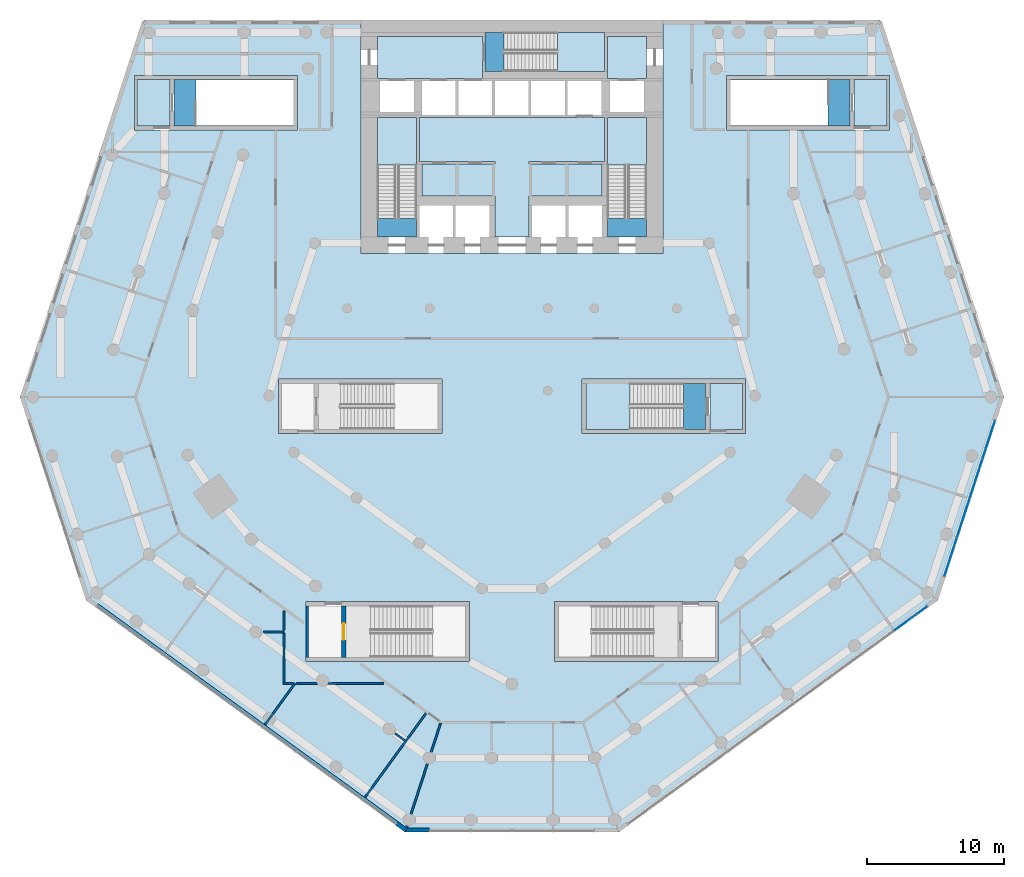
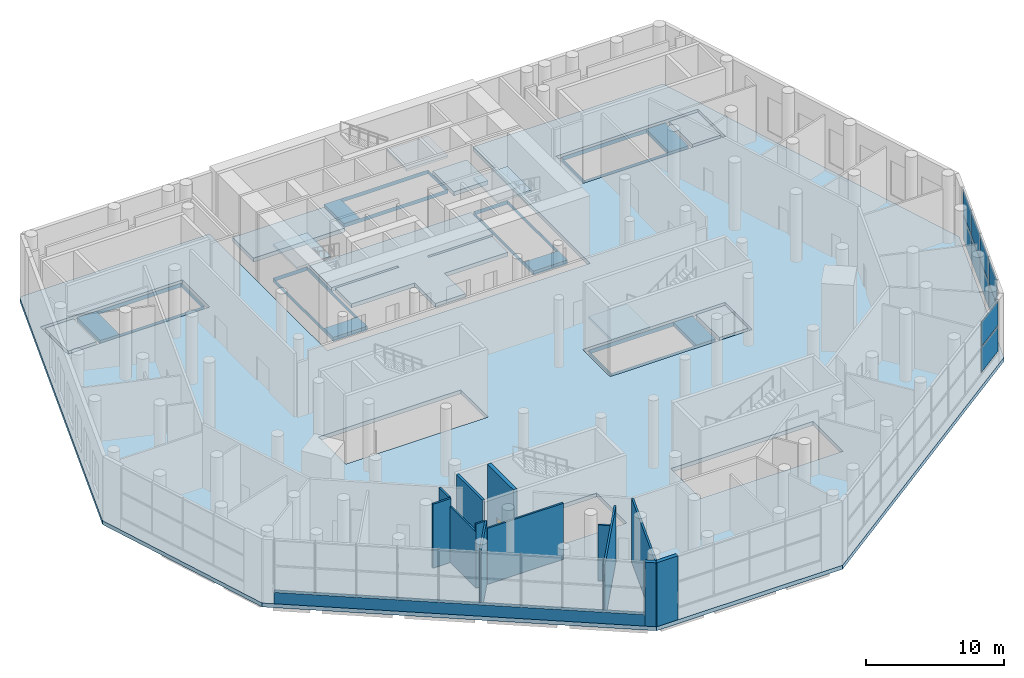
# One storey, part 9 of 19: 17 slabs, 14 walls, 10 plates, 1 door, 1 opening, 6 elements without a shape of their own.
"""IFC4 building model written with IfcOpenShell, lengths in metres."""

from ifc_helpers import new_model, si_unit, direction, frame, frame_2d, origin, origin_2d, place, context, subcontext, project, spatial, polyline, rectangle, outline, extrude, material, layer, layer_set, type_object, element, fill, aggregate, save


model = new_model("IFC4")

# Units and contexts
model_context = context("Model", 3, precision=1e-05, world=origin(), true_north=direction((0.0, 1.0)))
body_context = subcontext(model_context, "Body", "Model", "MODEL_VIEW")
ifc_project = project(units=[si_unit("LENGTHUNIT", "METRE"), si_unit("AREAUNIT", "SQUARE_METRE"), si_unit("VOLUMEUNIT", "CUBIC_METRE"), si_unit("PLANEANGLEUNIT", "RADIAN"), si_unit("MASSUNIT", "GRAM", prefix="KILO")], contexts=[model_context])

# Site, building, storey
site_placement = place(None, origin())
site = spatial("IfcSite", under=ifc_project, at=site_placement, CompositionType="ELEMENT")
building_placement = place(site_placement, origin())
building = spatial("IfcBuilding", under=site, at=building_placement, Name="White Candle Pilgrim Tower", CompositionType="ELEMENT")
storey_placement = place(building_placement, frame((0.0, 0.0, 23.0)))
storey = spatial("IfcBuildingStorey", under=building, at=storey_placement, Name="L03", CompositionType="ELEMENT", Elevation=23.0)

# Curtain wall, plates
ifc_material_1 = material(Name="Aluminium and glass", Category="aluminium")
curtain_wall_type = type_object("IfcCurtainWallType", Name="Curtain wall CW2 prayer hall clerestory", PredefinedType="NOTDEFINED", material=ifc_material_1)
curtain_wall_1_placement = place(storey_placement, origin())
curtain_wall_1 = element("IfcCurtainWall", 1, at=curtain_wall_1_placement, inside=storey, type_object=curtain_wall_type, Name="Curtain wall CW2 L03 SE", PredefinedType="NOTDEFINED")
ifc_material_2 = material(Name="Glass, triple glazed", Category="glass")
ifc_layer_1 = layer(ifc_material_2, 0.035888671875)
ifc_layer_set_1 = layer_set([ifc_layer_1], Name="CW2 glazing panel 36")
plate_type = type_object("IfcPlateType", Name="CW2 glazing panel 36", PredefinedType="CURTAIN_PANEL", material=ifc_layer_set_1)
plate_1_placement = place(storey_placement, frame((99.0361328125, 44.429443359375, 1.10009765625), z_axis=(0.0, 0.0, 1.0), x_axis=(0.809016996488, 0.587785249384, 0.0)))
plate_1 = element("IfcPlate", 2, at=plate_1_placement, type_object=plate_type, Name="CW2 panel 9.1", PredefinedType="CURTAIN_PANEL", context=body_context, shape_type="SweptSolid", body=[
    extrude(rectangle(XDim=2.925048828125, YDim=0.035888671875, at=origin_2d()), origin(), (0.0, 0.0, 1.0), 2.175048828125),
])
plate_2_placement = place(storey_placement, frame((99.0361328125, 44.429443359375, 3.375), z_axis=(0.0, 0.0, 1.0), x_axis=(0.809016996488, 0.587785249384, 0.0)))
plate_2 = element("IfcPlate", 3, at=plate_2_placement, type_object=plate_type, Name="CW2 panel 9.2", PredefinedType="CURTAIN_PANEL", context=body_context, shape_type="SweptSolid", body=[
    extrude(rectangle(XDim=2.925048828125, YDim=0.035888671875, at=origin_2d()), origin(), (0.0, 0.0, 1.0), 2.175048828125),
])
aggregate(curtain_wall_1, [plate_1, plate_2])

curtain_wall_2_placement = place(storey_placement, origin())
curtain_wall_2 = element("IfcCurtainWall", 4, at=curtain_wall_2_placement, inside=storey, type_object=curtain_wall_type, Name="Curtain wall CW2 L03 E chamfer", PredefinedType="NOTDEFINED")
plate_3_placement = place(storey_placement, frame((101.937255859375, 48.904541015625, 1.10009765625), z_axis=(0.0, 0.0, 1.0), x_axis=(0.309017000068, 0.951056514445, 0.0)))
plate_3 = element("IfcPlate", 5, at=plate_3_placement, type_object=plate_type, Name="CW2 panel 1.1", PredefinedType="CURTAIN_PANEL", context=body_context, shape_type="SweptSolid", body=[
    extrude(rectangle(XDim=2.925048828125, YDim=0.035888671875, at=origin_2d()), origin(), (0.0, 0.0, 1.0), 2.175048828125),
])
plate_4_placement = place(storey_placement, frame((101.937255859375, 48.904541015625, 3.375), z_axis=(0.0, 0.0, 1.0), x_axis=(0.309017000068, 0.951056514445, 0.0)))
plate_4 = element("IfcPlate", 6, at=plate_4_placement, type_object=plate_type, Name="CW2 panel 1.2", PredefinedType="CURTAIN_PANEL", context=body_context, shape_type="SweptSolid", body=[
    extrude(rectangle(XDim=2.925048828125, YDim=0.035888671875, at=origin_2d()), origin(), (0.0, 0.0, 1.0), 2.175048828125),
])
plate_5_placement = place(storey_placement, frame((102.8603515625, 51.745849609375, 1.10009765625), z_axis=(0.0, 0.0, 1.0), x_axis=(0.309017000068, 0.951056514445, 0.0)))
plate_5 = element("IfcPlate", 7, at=plate_5_placement, type_object=plate_type, Name="CW2 panel 2.1", PredefinedType="CURTAIN_PANEL", context=body_context, shape_type="SweptSolid", body=[
    extrude(rectangle(XDim=2.949951171875, YDim=0.035888671875, at=origin_2d()), origin(), (0.0, 0.0, 1.0), 2.175048828125),
])
plate_6_placement = place(storey_placement, frame((102.8603515625, 51.745849609375, 3.375), z_axis=(0.0, 0.0, 1.0), x_axis=(0.309017000068, 0.951056514445, 0.0)))
plate_6 = element("IfcPlate", 8, at=plate_6_placement, type_object=plate_type, Name="CW2 panel 2.2", PredefinedType="CURTAIN_PANEL", context=body_context, shape_type="SweptSolid", body=[
    extrude(rectangle(XDim=2.949951171875, YDim=0.035888671875, at=origin_2d()), origin(), (0.0, 0.0, 1.0), 2.175048828125),
])
plate_7_placement = place(storey_placement, frame((103.78759765625, 54.598876953125, 1.10009765625), z_axis=(0.0, 0.0, 1.0), x_axis=(0.309017000068, 0.951056514445, 0.0)))
plate_7 = element("IfcPlate", 9, at=plate_7_placement, type_object=plate_type, Name="CW2 panel 3.1", PredefinedType="CURTAIN_PANEL", context=body_context, shape_type="SweptSolid", body=[
    extrude(rectangle(XDim=2.949951171875, YDim=0.035888671875, at=origin_2d()), origin(), (0.0, 0.0, 1.0), 2.175048828125),
])
plate_8_placement = place(storey_placement, frame((103.78759765625, 54.598876953125, 3.375), z_axis=(0.0, 0.0, 1.0), x_axis=(0.309017000068, 0.951056514445, 0.0)))
plate_8 = element("IfcPlate", 10, at=plate_8_placement, type_object=plate_type, Name="CW2 panel 3.2", PredefinedType="CURTAIN_PANEL", context=body_context, shape_type="SweptSolid", body=[
    extrude(rectangle(XDim=2.949951171875, YDim=0.035888671875, at=origin_2d()), origin(), (0.0, 0.0, 1.0), 2.175048828125),
])
plate_9_placement = place(storey_placement, frame((104.710693359375, 57.440185546875, 1.10009765625), z_axis=(0.0, 0.0, 1.0), x_axis=(0.309017000068, 0.951056514445, 0.0)))
plate_9 = element("IfcPlate", 11, at=plate_9_placement, type_object=plate_type, Name="CW2 panel 4.1", PredefinedType="CURTAIN_PANEL", context=body_context, shape_type="SweptSolid", body=[
    extrude(rectangle(XDim=2.925048828125, YDim=0.035888671875, at=origin_2d()), origin(), (0.0, 0.0, 1.0), 2.175048828125),
])
plate_10_placement = place(storey_placement, frame((104.710693359375, 57.440185546875, 3.375), z_axis=(0.0, 0.0, 1.0), x_axis=(0.309017000068, 0.951056514445, 0.0)))
plate_10 = element("IfcPlate", 12, at=plate_10_placement, type_object=plate_type, Name="CW2 panel 4.2", PredefinedType="CURTAIN_PANEL", context=body_context, shape_type="SweptSolid", body=[
    extrude(rectangle(XDim=2.925048828125, YDim=0.035888671875, at=origin_2d()), origin(), (0.0, 0.0, 1.0), 2.175048828125),
])
aggregate(curtain_wall_2, [plate_3, plate_4, plate_5, plate_6, plate_7, plate_8, plate_9, plate_10])

# Slabs
ifc_material_3 = material(Name="Concrete C40/50", Category="concrete")
ifc_layer_2 = layer(ifc_material_3, 0.35009765625)
ifc_layer_set_2 = layer_set([ifc_layer_2], Name="Core floor slab 350 mm Concrete C40/50")
slab_type_1 = type_object("IfcSlabType", Name="Core floor slab 350 mm Concrete C40/50", PredefinedType="FLOOR", material=ifc_layer_set_2)
slab_1_placement = place(storey_placement, frame((0.0, 0.0, -0.35009765625)))
element("IfcSlab", 13, at=slab_1_placement, inside=storey, type_object=slab_type_1, Name="CF-L03-05", PredefinedType="FLOOR", context=body_context, shape_type="SweptSolid", body=[
    extrude(outline(polyline([(60.199951171875, 80.89990234375), (63.050048828125, 80.89990234375), (63.050048828125, 77.699951171875), (63.050048828125, 77.5), (63.050048828125, 75.199951171875), (63.050048828125, 74.5), (63.050048828125, 72.199951171875), (60.199951171875, 72.199951171875), (60.199951171875, 80.89990234375)]), holes=[polyline([(60.201904296875, 80.89794921875), (60.201904296875, 73.552001953125), (63.048095703125, 73.552001953125), (63.048095703125, 80.89794921875), (60.201904296875, 80.89794921875)])]), origin(), (0.0, 0.0, 1.0), 0.35009765625),
])
slab_2_placement = place(storey_placement, frame((0.0, 0.0, -0.35009765625)))
element("IfcSlab", 14, at=slab_2_placement, inside=storey, type_object=slab_type_1, Name="CF-L03-06", PredefinedType="FLOOR", context=body_context, shape_type="SweptSolid", body=[
    extrude(outline(polyline([(60.199951171875, 86.800048828125), (67.85009765625, 86.800048828125), (67.85009765625, 84.25), (67.85009765625, 83.75), (60.199951171875, 83.75), (60.199951171875, 86.800048828125)])), origin(), (0.0, 0.0, 1.0), 0.35009765625),
])
slab_3_placement = place(storey_placement, frame((0.0, 0.0, -0.35009765625)))
element("IfcSlab", 15, at=slab_3_placement, inside=storey, type_object=slab_type_1, Name="CF-L03-07", PredefinedType="FLOOR", context=body_context, shape_type="SweptSolid", body=[
    extrude(outline(polyline([(68.050048828125, 87.10009765625), (76.75, 87.10009765625), (76.75, 86.800048828125), (76.75, 84.25), (68.050048828125, 84.25), (68.050048828125, 86.800048828125), (68.050048828125, 87.10009765625)]), holes=[polyline([(69.402099609375, 87.097900390625), (69.402099609375, 84.251953125), (76.748046875, 84.251953125), (76.748046875, 87.097900390625), (69.402099609375, 87.097900390625)])]), origin(), (0.0, 0.0, 1.0), 0.35009765625),
])
slab_4_placement = place(storey_placement, frame((0.0, 0.0, -0.35009765625)))
element("IfcSlab", 16, at=slab_4_placement, inside=storey, type_object=slab_type_1, Name="CF-L03-08", PredefinedType="FLOOR", context=body_context, shape_type="SweptSolid", body=[
    extrude(outline(polyline([(79.800048828125, 86.800048828125), (79.800048828125, 83.75), (76.949951171875, 83.75), (76.949951171875, 84.25), (76.949951171875, 86.800048828125), (79.800048828125, 86.800048828125)])), origin(), (0.0, 0.0, 1.0), 0.35009765625),
])
slab_5_placement = place(storey_placement, frame((0.0, 0.0, -0.35009765625)))
element("IfcSlab", 17, at=slab_5_placement, inside=storey, type_object=slab_type_1, Name="CF-L03-09", PredefinedType="FLOOR", context=body_context, shape_type="SweptSolid", body=[
    extrude(outline(polyline([(79.800048828125, 72.199951171875), (76.949951171875, 72.199951171875), (76.949951171875, 74.5), (76.949951171875, 75.199951171875), (76.949951171875, 77.5), (76.949951171875, 77.699951171875), (76.949951171875, 80.89990234375), (79.800048828125, 80.89990234375), (79.800048828125, 72.199951171875)]), holes=[polyline([(76.951904296875, 80.89794921875), (76.951904296875, 73.552001953125), (79.798095703125, 73.552001953125), (79.798095703125, 80.89794921875), (76.951904296875, 80.89794921875)])]), origin(), (0.0, 0.0, 1.0), 0.35009765625),
])
slab_6_placement = place(storey_placement, frame((0.0, 0.0, -0.35009765625)))
element("IfcSlab", 18, at=slab_6_placement, inside=storey, type_object=slab_type_1, Name="CF-L03-10", PredefinedType="FLOOR", context=body_context, shape_type="SweptSolid", body=[
    extrude(outline(polyline([(68.75, 72.199951171875), (68.75, 74.5), (68.75, 75.199951171875), (63.449951171875, 75.199951171875), (63.449951171875, 77.5), (68.75, 77.5), (68.75, 77.699951171875), (63.25, 77.699951171875), (63.25, 80.89990234375), (76.75, 80.89990234375), (76.75, 77.699951171875), (71.25, 77.699951171875), (71.25, 77.5), (76.550048828125, 77.5), (76.550048828125, 75.199951171875), (71.25, 75.199951171875), (71.25, 74.5), (71.25, 72.199951171875), (68.75, 72.199951171875)])), origin(), (0.0, 0.0, 1.0), 0.35009765625),
])
slab_7_placement = place(storey_placement, frame((0.0, 0.0, -0.35009765625)))
element("IfcSlab", 19, at=slab_7_placement, inside=storey, type_object=slab_type_1, Name="CF-L03-11", PredefinedType="FLOOR", context=body_context, shape_type="SweptSolid", body=[
    extrude(outline(polyline([(42.699951171875, 83.64990234375), (45.10009765625, 83.64990234375), (45.10009765625, 80.300048828125), (42.699951171875, 80.300048828125), (42.699951171875, 83.64990234375)])), origin(), (0.0, 0.0, 1.0), 0.35009765625),
])
slab_8_placement = place(storey_placement, frame((0.0, 0.0, -0.35009765625)))
element("IfcSlab", 20, at=slab_8_placement, inside=storey, type_object=slab_type_1, Name="CF-L03-12", PredefinedType="FLOOR", context=body_context, shape_type="SweptSolid", body=[
    extrude(outline(polyline([(45.39990234375, 83.64990234375), (54.10009765625, 83.64990234375), (54.10009765625, 80.300048828125), (45.39990234375, 80.300048828125), (45.39990234375, 83.64990234375)]), holes=[polyline([(54.097900390625, 83.64794921875), (47.001953125, 83.64794921875), (47.001953125, 80.302001953125), (54.097900390625, 80.302001953125), (54.097900390625, 83.64794921875)])]), origin(), (0.0, 0.0, 1.0), 0.35009765625),
])
slab_9_placement = place(storey_placement, frame((0.0, 0.0, -0.35009765625)))
element("IfcSlab", 21, at=slab_9_placement, inside=storey, type_object=slab_type_1, Name="CF-L03-15", PredefinedType="FLOOR", context=body_context, shape_type="SweptSolid", body=[
    extrude(outline(polyline([(75.39990234375, 61.550048828125), (84.10009765625, 61.550048828125), (84.10009765625, 58.199951171875), (75.39990234375, 58.199951171875), (75.39990234375, 61.550048828125)]), holes=[polyline([(75.402099609375, 58.201904296875), (82.498046875, 58.201904296875), (82.498046875, 61.548095703125), (75.402099609375, 61.548095703125), (75.402099609375, 58.201904296875)])]), origin(), (0.0, 0.0, 1.0), 0.35009765625),
])
slab_10_placement = place(storey_placement, frame((0.0, 0.0, -0.35009765625)))
element("IfcSlab", 22, at=slab_10_placement, inside=storey, type_object=slab_type_1, Name="CF-L03-16", PredefinedType="FLOOR", context=body_context, shape_type="SweptSolid", body=[
    extrude(outline(polyline([(84.39990234375, 61.550048828125), (86.800048828125, 61.550048828125), (86.800048828125, 58.199951171875), (84.39990234375, 58.199951171875), (84.39990234375, 61.550048828125)])), origin(), (0.0, 0.0, 1.0), 0.35009765625),
])
slab_11_placement = place(storey_placement, frame((0.0, 0.0, -0.35009765625)))
element("IfcSlab", 23, at=slab_11_placement, inside=storey, type_object=slab_type_1, Name="CF-L03-17", PredefinedType="FLOOR", context=body_context, shape_type="SweptSolid", body=[
    extrude(outline(polyline([(94.60009765625, 83.64990234375), (94.60009765625, 80.300048828125), (85.89990234375, 80.300048828125), (85.89990234375, 83.64990234375), (94.60009765625, 83.64990234375)]), holes=[polyline([(92.998046875, 80.302001953125), (92.998046875, 83.64794921875), (85.902099609375, 83.64794921875), (85.902099609375, 80.302001953125), (92.998046875, 80.302001953125)])]), origin(), (0.0, 0.0, 1.0), 0.35009765625),
])
slab_12_placement = place(storey_placement, frame((0.0, 0.0, -0.35009765625)))
element("IfcSlab", 24, at=slab_12_placement, inside=storey, type_object=slab_type_1, Name="CF-L03-18", PredefinedType="FLOOR", context=body_context, shape_type="SweptSolid", body=[
    extrude(outline(polyline([(97.300048828125, 83.64990234375), (97.300048828125, 80.300048828125), (94.89990234375, 80.300048828125), (94.89990234375, 83.64990234375), (97.300048828125, 83.64990234375)])), origin(), (0.0, 0.0, 1.0), 0.35009765625),
])
ifc_layer_3 = layer(ifc_material_3, 0.35009765625)
ifc_layer_set_3 = layer_set([ifc_layer_3], Name="Floor slab 350 REI 240")
slab_type_2 = type_object("IfcSlabType", Name="Floor slab 350 REI 240", PredefinedType="FLOOR", material=ifc_layer_set_3)
slab_13_placement = place(storey_placement, frame((0.0, 0.0, -0.35009765625)))
element("IfcSlab", 25, at=slab_13_placement, inside=storey, type_object=slab_type_2, Name="L03 floor slab", PredefinedType="FLOOR", context=body_context, shape_type="SweptSolid", body=[
    extrude(outline(polyline([(62.2216796875, 28.861083984375), (77.7783203125, 28.861083984375), (101.015380859375, 45.743896484375), (105.82275390625, 60.539306640625), (96.947021484375, 87.85595703125), (96.748779296875, 88.0), (81.0, 88.0), (81.0, 71.0), (59.0, 71.0), (59.0, 88.0), (43.251220703125, 88.0), (43.052978515625, 87.85595703125), (34.17724609375, 60.539306640625), (38.984619140625, 45.743896484375), (62.2216796875, 28.861083984375)]), holes=[polyline([(55.0, 41.300048828125), (55.0, 45.64990234375), (66.89990234375, 45.64990234375), (66.89990234375, 41.300048828125), (55.0, 41.300048828125)]), polyline([(73.10009765625, 41.300048828125), (73.10009765625, 45.64990234375), (85.0, 45.64990234375), (85.0, 41.300048828125), (73.10009765625, 41.300048828125)]), polyline([(53.0, 57.89990234375), (53.0, 61.85009765625), (64.89990234375, 61.85009765625), (64.89990234375, 57.89990234375), (53.0, 57.89990234375)]), polyline([(75.10009765625, 57.89990234375), (75.10009765625, 61.85009765625), (87.0, 61.85009765625), (87.0, 57.89990234375), (75.10009765625, 57.89990234375)]), polyline([(42.5, 80.0), (42.5, 83.949951171875), (54.39990234375, 83.949951171875), (54.39990234375, 80.0), (42.5, 80.0)]), polyline([(85.60009765625, 80.0), (85.60009765625, 83.949951171875), (97.5, 83.949951171875), (97.5, 80.0), (85.60009765625, 80.0)])]), origin(), (0.0, 0.0, 1.0), 0.35009765625),
])

# Stair, slab
stair_type_1 = type_object("IfcStairType", Name="Exit stair 1 flight width 1350 mm", PredefinedType="HALF_TURN_STAIR", material=ifc_material_3)
stair_1_placement = place(storey_placement, origin())
stair_1 = element("IfcStair", 26, at=stair_1_placement, inside=storey, type_object=stair_type_1, Name="L03 stair 1", PredefinedType="NOTDEFINED")
ifc_layer_4 = layer(ifc_material_3, 0.199951171875)
ifc_layer_set_4 = layer_set([ifc_layer_4], Name="Stair landing Concrete C40/50")
slab_type_3 = type_object("IfcSlabType", Name="Stair landing Concrete C40/50", PredefinedType="LANDING", material=ifc_layer_set_4)
slab_14_placement = place(storey_placement, frame((0.0, 0.0, 2.800048828125)))
slab_14 = element("IfcSlab", 27, at=slab_14_placement, type_object=slab_type_3, Name="ST1 landing 1", PredefinedType="LANDING", context=body_context, shape_type="SweptSolid", body=[
    extrude(outline(polyline([(63.052001953125, 77.447998046875), (60.197998046875, 77.447998046875), (60.197998046875, 80.902099609375), (63.052001953125, 80.902099609375), (63.052001953125, 77.447998046875)])), origin(), (0.0, 0.0, 1.0), 0.199951171875),
])
aggregate(stair_1, [slab_14])

stair_type_2 = type_object("IfcStairType", Name="Exit stair 2 flight width 1350 mm", PredefinedType="HALF_TURN_STAIR", material=ifc_material_3)
stair_2_placement = place(storey_placement, origin())
stair_2 = element("IfcStair", 28, at=stair_2_placement, inside=storey, type_object=stair_type_2, Name="L03 stair 2", PredefinedType="NOTDEFINED")
slab_15_placement = place(storey_placement, frame((0.0, 0.0, 2.800048828125)))
slab_15 = element("IfcSlab", 29, at=slab_15_placement, type_object=slab_type_3, Name="ST2 landing 1", PredefinedType="LANDING", context=body_context, shape_type="SweptSolid", body=[
    extrude(outline(polyline([(79.802001953125, 77.447998046875), (76.947998046875, 77.447998046875), (76.947998046875, 80.902099609375), (79.802001953125, 80.902099609375), (79.802001953125, 77.447998046875)])), origin(), (0.0, 0.0, 1.0), 0.199951171875),
])
aggregate(stair_2, [slab_15])

stair_type_3 = type_object("IfcStairType", Name="Exit stair 3 flight width 1350 mm", PredefinedType="HALF_TURN_STAIR", material=ifc_material_3)
stair_3_placement = place(storey_placement, origin())
stair_3 = element("IfcStair", 30, at=stair_3_placement, inside=storey, type_object=stair_type_3, Name="L03 stair 3", PredefinedType="NOTDEFINED")
slab_16_placement = place(storey_placement, frame((0.0, 0.0, 2.800048828125)))
slab_16 = element("IfcSlab", 31, at=slab_16_placement, type_object=slab_type_3, Name="ST3 landing 1", PredefinedType="LANDING", context=body_context, shape_type="SweptSolid", body=[
    extrude(outline(polyline([(73.298095703125, 84.248046875), (73.298095703125, 87.10205078125), (76.751953125, 87.10205078125), (76.751953125, 84.248046875), (73.298095703125, 84.248046875)])), origin(), (0.0, 0.0, 1.0), 0.199951171875),
])
aggregate(stair_3, [slab_16])

stair_type_4 = type_object("IfcStairType", Name="Exit stair 4 flight width 1600 mm", PredefinedType="HALF_TURN_STAIR", material=ifc_material_3)
stair_4_placement = place(storey_placement, origin())
stair_4 = element("IfcStair", 32, at=stair_4_placement, inside=storey, type_object=stair_type_4, Name="L03 stair 4", PredefinedType="NOTDEFINED")
slab_17_placement = place(storey_placement, frame((0.0, 0.0, 2.800048828125)))
slab_17 = element("IfcSlab", 33, at=slab_17_placement, type_object=slab_type_3, Name="ST4 landing 1", PredefinedType="LANDING", context=body_context, shape_type="SweptSolid", body=[
    extrude(outline(polyline([(78.60205078125, 61.552001953125), (78.60205078125, 58.197998046875), (75.39794921875, 58.197998046875), (75.39794921875, 61.552001953125), (78.60205078125, 61.552001953125)])), origin(), (0.0, 0.0, 1.0), 0.199951171875),
])
aggregate(stair_4, [slab_17])

# Walls
ifc_material_4 = material(Name="Concrete C70/85", Category="concrete")
ifc_layer_5 = layer(ifc_material_4, 0.199951171875)
ifc_layer_set_5 = layer_set([ifc_layer_5], Name="Core wall 200 mm Concrete C70/85")
wall_type_1 = type_object("IfcWallType", Name="Core wall 200 mm Concrete C70/85", PredefinedType="SHEAR", material=ifc_layer_set_5)
wall_1_placement = place(storey_placement, frame((55.10009765625, 41.60009765625, 0.0), z_axis=(0.0, 0.0, 1.0), x_axis=(0.0, 1.0, 0.0)))
element("IfcWall", 34, at=wall_1_placement, inside=storey, type_object=wall_type_1, Name="WL-L03-C03", PredefinedType="SHEAR", context=body_context, shape_type="SweptSolid", body=[
    extrude(rectangle(XDim=3.75, YDim=0.199951171875, at=frame_2d((1.875, 0.0))), origin(), (0.0, 0.0, 1.0), 6.0),
])
ifc_material_5 = material(Name="Precast concrete C40/50", Category="concrete")
ifc_layer_6 = layer(ifc_material_5, 0.320068359375)
ifc_layer_set_6 = layer_set([ifc_layer_6], Name="Facade wall EW3 precast concrete C40/50 and stone-faced podium wall")
wall_type_2 = type_object("IfcWallType", Name="Facade wall EW3 precast concrete C40/50 and stone-faced podium wall", PredefinedType="SOLIDWALL", material=ifc_layer_set_6)
wall_2_placement = place(storey_placement, frame((39.775390625, 45.366943359375, 0.0), z_axis=(0.0, 0.0, 1.0), x_axis=(0.809019086344, -0.587782372933, 0.0)))
element("IfcWall", 35, at=wall_2_placement, inside=storey, type_object=wall_type_2, Name="Sill wall L03 SW", PredefinedType="SOLIDWALL", context=body_context, shape_type="SweptSolid", body=[
    extrude(rectangle(XDim=27.0, YDim=0.320068359375, at=frame_2d((13.5, 0.0))), origin(), (0.0, 0.0, 1.0), 1.0),
])
wall_3_placement = place(storey_placement, frame((61.618896484375, 29.496826171875, 0.0), z_axis=(0.0, 0.0, 1.0), x_axis=(0.808957761835, -0.587866770252, 0.0)))
element("IfcWall", 36, at=wall_3_placement, inside=storey, type_object=wall_type_2, Name="Facade wall L03 SW", PredefinedType="SOLIDWALL", context=body_context, shape_type="SweptSolid", body=[
    extrude(rectangle(XDim=0.809326171875, YDim=0.320068359375, at=frame_2d((0.40478515625, 0.0))), origin(), (0.0, 0.0, 1.0), 5.64990234375),
])
wall_4_placement = place(storey_placement, frame((62.273681640625, 29.02099609375, 0.0), z_axis=(0.0, 0.0, 1.0), x_axis=(1.0, 0.0, 0.0)))
element("IfcWall", 37, at=wall_4_placement, inside=storey, type_object=wall_type_2, Name="Facade wall L03 S chamfer", PredefinedType="SOLIDWALL", context=body_context, shape_type="SweptSolid", body=[
    extrude(rectangle(XDim=1.726318359375, YDim=0.320068359375, at=frame_2d((0.86328125, 0.0))), origin(), (0.0, 0.0, 1.0), 5.64990234375),
])
ifc_material_6 = material(Name="Gypsum board on steel studs", Category="steel")
ifc_layer_7 = layer(ifc_material_6, 0.14990234375)
ifc_layer_set_7 = layer_set([ifc_layer_7], Name="Partition 150 mm EI 60")
wall_type_3 = type_object("IfcWallType", Name="Partition 150 mm EI 60", PredefinedType="PARTITIONING", material=ifc_layer_set_7)
wall_5_placement = place(storey_placement, frame((62.32568359375, 29.18115234375, 0.0), z_axis=(0.0, 0.0, 1.0), x_axis=(0.309004544659, 0.951060561363, 0.0)))
element("IfcWall", 38, at=wall_5_placement, inside=storey, type_object=wall_type_3, Name="WL-L03-P016", PredefinedType="PARTITIONING", context=body_context, shape_type="SweptSolid", body=[
    extrude(rectangle(XDim=7.990234375, YDim=0.14990234375, at=frame_2d((3.9951171875, 0.0))), origin(), (0.0, 0.0, 1.0), 5.64990234375),
])
wall_6_placement = place(storey_placement, frame((52.004638671875, 36.6796875, 0.0), z_axis=(0.0, 0.0, 1.0), x_axis=(0.587825586486, 0.808987688332, 0.0)))
element("IfcWall", 39, at=wall_6_placement, inside=storey, type_object=wall_type_3, Name="WL-L03-P024", PredefinedType="PARTITIONING", context=body_context, shape_type="SweptSolid", body=[
    extrude(rectangle(XDim=3.7333984375, YDim=0.14990234375, at=frame_2d((1.86669921875, 0.0))), origin(), (0.0, 0.0, 1.0), 5.64990234375),
])
wall_7_placement = place(storey_placement, frame((59.285888671875, 31.3896484375, 0.0), z_axis=(0.0, 0.0, 1.0), x_axis=(0.587779028788, 0.809021515979, 0.0)))
element("IfcWall", 40, at=wall_7_placement, inside=storey, type_object=wall_type_3, Name="WL-L03-P025", PredefinedType="PARTITIONING", context=body_context, shape_type="SweptSolid", body=[
    extrude(rectangle(XDim=7.579833984375, YDim=0.14990234375, at=frame_2d((3.7900390625, 0.0))), origin(), (0.0, 0.0, 1.0), 4.949951171875),
])
wall_8_placement = place(storey_placement, frame((51.889892578125, 43.436279296875, 0.0), z_axis=(0.0, 0.0, 1.0), x_axis=(1.0, 0.0, 0.0)))
element("IfcWall", 41, at=wall_8_placement, inside=storey, type_object=wall_type_3, Name="WL-L03-P038", PredefinedType="PARTITIONING", context=body_context, shape_type="SweptSolid", body=[
    extrude(rectangle(XDim=1.510009765625, YDim=0.14990234375, at=frame_2d((0.7548828125, 0.0))), origin(), (0.0, 0.0, 1.0), 5.64990234375),
])
wall_9_placement = place(storey_placement, frame((61.488037109375, 36.054443359375, 0.0), z_axis=(0.0, 0.0, 1.0), x_axis=(0.809105603792, -0.587663272557, 0.0)))
element("IfcWall", 42, at=wall_9_placement, inside=storey, type_object=wall_type_3, Name="WL-L03-P039", PredefinedType="PARTITIONING", context=body_context, shape_type="SweptSolid", body=[
    extrude(rectangle(XDim=0.88525390625, YDim=0.14990234375, at=frame_2d((0.442626953125, 0.0))), origin(), (0.0, 0.0, 1.0), 4.949951171875),
])
wall_10_placement = place(storey_placement, frame((54.30029296875, 39.699951171875, 0.0), z_axis=(0.0, 0.0, 1.0), x_axis=(1.0, 0.0, 0.0)))
element("IfcWall", 43, at=wall_10_placement, inside=storey, type_object=wall_type_3, Name="WL-L03-P051", PredefinedType="PARTITIONING", context=body_context, shape_type="SweptSolid", body=[
    extrude(rectangle(XDim=6.341064453125, YDim=0.14990234375, at=frame_2d((3.17041015625, 0.0))), origin(), (0.0, 0.0, 1.0), 4.949951171875),
])
wall_11_placement = place(storey_placement, frame((53.39990234375, 44.961181640625, 0.0), z_axis=(0.0, 0.0, 1.0), x_axis=(0.0, -1.0, 0.0)))
element("IfcWall", 44, at=wall_11_placement, inside=storey, type_object=wall_type_3, Name="WL-L03-P052", PredefinedType="PARTITIONING", context=body_context, shape_type="SweptSolid", body=[
    extrude(rectangle(XDim=1.389892578125, YDim=0.14990234375, at=frame_2d((0.69482421875, 0.0))), origin(), (0.0, 0.0, 1.0), 5.64990234375),
])
wall_12_placement = place(storey_placement, frame((53.39990234375, 43.361328125, 0.0), z_axis=(0.0, 0.0, 1.0), x_axis=(0.0, -1.0, 0.0)))
element("IfcWall", 45, at=wall_12_placement, inside=storey, type_object=wall_type_3, Name="WL-L03-P053", PredefinedType="PARTITIONING", context=body_context, shape_type="SweptSolid", body=[
    extrude(rectangle(XDim=3.721435546875, YDim=0.14990234375, at=frame_2d((1.86083984375, 0.0))), origin(), (0.0, 0.0, 1.0), 4.949951171875),
])
wall_13_placement = place(storey_placement, frame((53.340087890625, 39.699951171875, 0.0), z_axis=(0.0, 0.0, 1.0), x_axis=(1.0, 0.0, 0.0)))
element("IfcWall", 46, at=wall_13_placement, inside=storey, type_object=wall_type_3, Name="WL-L03-P054", PredefinedType="PARTITIONING", context=body_context, shape_type="SweptSolid", body=[
    extrude(rectangle(XDim=0.752197265625, YDim=0.14990234375, at=frame_2d((0.3759765625, 0.0))), origin(), (0.0, 0.0, 1.0), 5.64990234375),
])

# Wall, opening, door
ifc_layer_8 = layer(ifc_material_4, 0.300048828125)
ifc_layer_set_8 = layer_set([ifc_layer_8], Name="Stair shaft wall 300 mm Concrete C70/85")
wall_type_4 = type_object("IfcWallType", Name="Stair shaft wall 300 mm Concrete C70/85", PredefinedType="SHEAR", material=ifc_layer_set_8)
wall_14_placement = place(storey_placement, frame((57.75, 41.60009765625, 0.0), z_axis=(0.0, 0.0, 1.0), x_axis=(0.0, 1.0, 0.0)))
wall_14 = element("IfcWall", 47, at=wall_14_placement, inside=storey, type_object=wall_type_4, Name="WL-L03-C04", PredefinedType="SHEAR", context=body_context, shape_type="SweptSolid", body=[
    extrude(rectangle(XDim=3.75, YDim=0.300048828125, at=frame_2d((1.875, 0.0))), origin(), (0.0, 0.0, 1.0), 6.0),
])
opening_placement = place(wall_14_placement, frame((1.27490234375, 0.0, 0.0)))
opening = element("IfcOpeningElement", 48, at=opening_placement, cuts=wall_14, Name="Opening L03-012", PredefinedType="OPENING", context=body_context, shape_type="SweptSolid", body=[
    extrude(rectangle(XDim=1.199951171875, YDim=2.10009765625, at=frame_2d((0.60009765625, 1.050048828125))), frame((0.0, 0.159912109375, 0.0), z_axis=(0.0, -1.0, 0.0), x_axis=(1.0, 0.0, 0.0)), (0.0, 0.0, 1.0), 0.320068359375),
])
ifc_material_7 = material(Name="Steel door leaf", Category="steel")
door_type = type_object("IfcDoorType", Name="Fire door 1200 x 2100 EI 60", OperationType="NOTDEFINED", PredefinedType="DOOR", material=ifc_material_7)
door_placement = place(opening_placement, frame((1.199951171875, 0.0, 0.0), z_axis=(0.0, 0.0, 1.0), x_axis=(-1.0, 0.0, 0.0)))
door = element("IfcDoor", 49, at=door_placement, inside=storey, type_object=door_type, Name="Door L03-012", OperationType="SINGLE_SWING_LEFT", OverallHeight=2.10009765625, OverallWidth=1.199951171875, PredefinedType="DOOR", context=body_context, shape_type="SweptSolid", body=[
    extrude(rectangle(XDim=1.199951171875, YDim=2.10009765625, at=frame_2d((0.60009765625, 1.050048828125))), frame((0.0, 0.02490234375, 0.0), z_axis=(0.0, -1.0, 0.0), x_axis=(1.0, 0.0, 0.0)), (0.0, 0.0, 1.0), 0.050048828125),
])
fill(opening, door)

save(model, "model.ifc")
